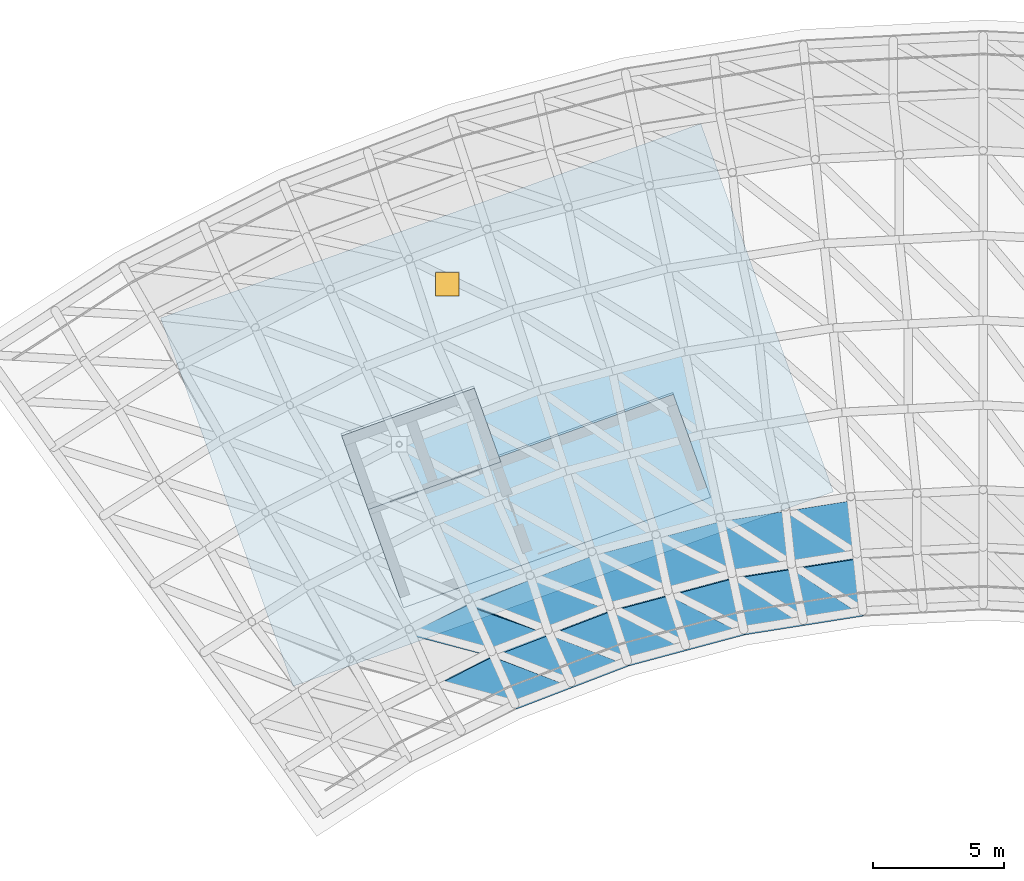
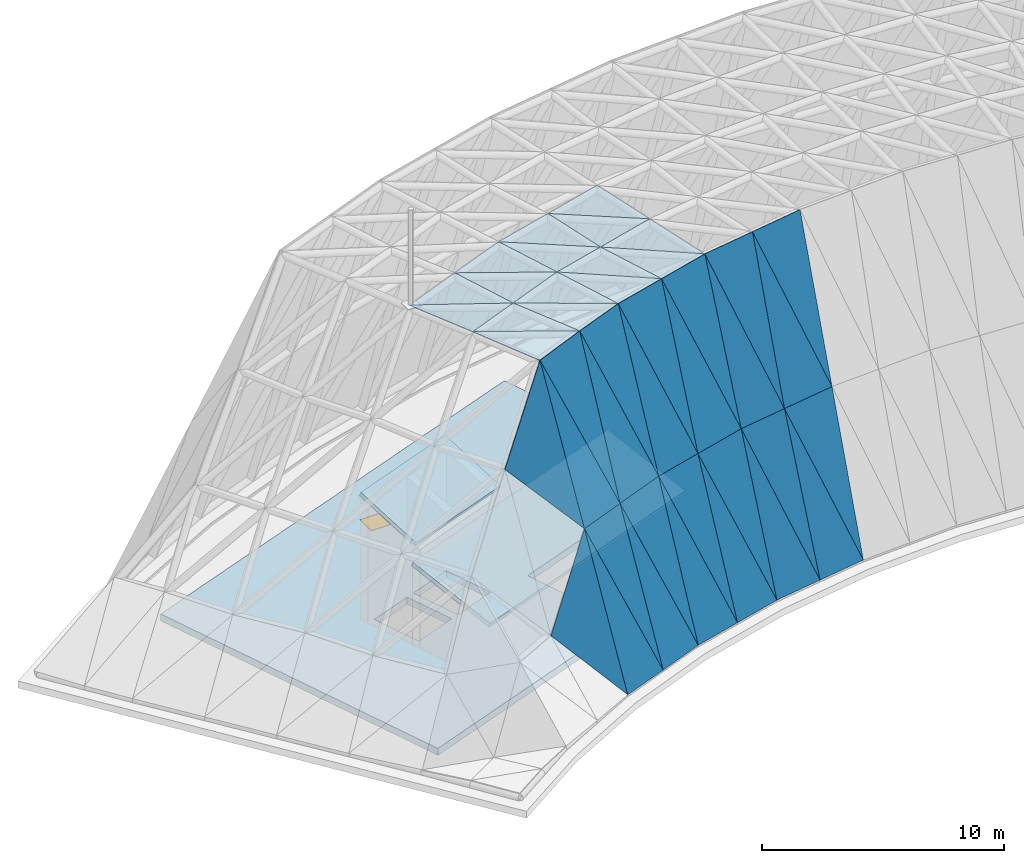
# One storey, part 12 of 20: 42 plates, 3 slabs, 1 door, 1 opening, 18 elements without a shape of their own.
"""IFC4 building model written with IfcOpenShell, lengths in metres."""

from ifc_helpers import new_model, si_unit, direction, frame, origin, origin_2d, place, context, subcontext, project, spatial, polyline, rectangle, outline, extrude, material, layer, layer_set, type_object, element, fill, aggregate, save


model = new_model("IFC4")

# Units and contexts
model_context = context("Model", 3, precision=1e-05, world=origin(), true_north=direction((0.0, 1.0)))
body_context = subcontext(model_context, "Body", "Model", "MODEL_VIEW")
ifc_project = project(units=[si_unit("LENGTHUNIT", "METRE"), si_unit("AREAUNIT", "SQUARE_METRE"), si_unit("VOLUMEUNIT", "CUBIC_METRE"), si_unit("PLANEANGLEUNIT", "RADIAN"), si_unit("MASSUNIT", "GRAM", prefix="KILO")], contexts=[model_context])

# Site, building, storey
site_placement = place(None, origin())
site = spatial("IfcSite", under=ifc_project, at=site_placement, CompositionType="ELEMENT")
building_placement = place(site_placement, origin())
building = spatial("IfcBuilding", under=site, at=building_placement, Name="Stone Belt Terrace Tower", CompositionType="ELEMENT")
storey_placement = place(building_placement, frame((0.0, 0.0, 337.39990234375)))
storey = spatial("IfcBuildingStorey", under=building, at=storey_placement, Name="RF", CompositionType="ELEMENT", Elevation=337.39990234375)

# Slab, opening, door
ifc_material_1 = material(Name="Concrete B40", Category="concrete")
ifc_layer_1 = layer(ifc_material_1, 0.35009765625)
ifc_layer_set_1 = layer_set([ifc_layer_1], Name="Core roof slab 350")
slab_type_1 = type_object("IfcSlabType", Name="Core roof slab 350", PredefinedType="ROOF", material=ifc_layer_set_1)
slab_1_placement = place(storey_placement, frame((0.0, 0.0, -0.349853515625)))
slab_1 = element("IfcSlab", 1, at=slab_1_placement, inside=storey, type_object=slab_type_1, Name="Core A roof", PredefinedType="ROOF", context=body_context, shape_type="SweptSolid", body=[
    extrude(outline(polyline([(-26.43505859375, 40.968994140625), (-5.735107421875, 48.4189453125), (-10.81396484375, 62.531982421875), (-31.513916015625, 55.0830078125), (-26.43505859375, 40.968994140625)]), holes=[polyline([(-12.10595703125, 51.652099609375), (-10.955078125, 48.452880859375), (-15.846923828125, 46.69189453125), (-16.998046875, 49.89208984375), (-12.10595703125, 51.652099609375)]), polyline([(-24.06298828125, 50.324951171875), (-22.0869140625, 51.035888671875), (-21.27392578125, 48.778076171875), (-23.25, 48.06689453125), (-24.06298828125, 50.324951171875)]), polyline([(-21.7109375, 51.1708984375), (-19.735107421875, 51.883056640625), (-18.922119140625, 49.6240234375), (-20.89794921875, 48.9130859375), (-21.7109375, 51.1708984375)]), polyline([(-20.06103515625, 56.842041015625), (-20.06103515625, 55.922119140625), (-20.98095703125, 55.922119140625), (-20.98095703125, 56.842041015625), (-20.06103515625, 56.842041015625)])]), origin(), (0.0, 0.0, 1.0), 0.349853515625),
])
opening_placement = place(slab_1_placement, frame((-20.521240234375, 56.381591796875, 0.0)))
opening = element("IfcOpeningElement", 2, at=opening_placement, cuts=slab_1, Name="Opening RF-E01", PredefinedType="OPENING", context=body_context, shape_type="SweptSolid", body=[
    extrude(rectangle(XDim=0.89990234375, YDim=0.89990234375, at=origin_2d()), frame((0.0, 0.0, -0.010009765625)), (0.0, 0.0, 1.0), 0.369873046875),
])
ifc_material_2 = material(Name="Galvanised steel hatch", Category="steel")
door_type = type_object("IfcDoorType", Name="Roof access hatch 900 x 900", OperationType="NOTDEFINED", PredefinedType="TRAPDOOR", material=ifc_material_2)
door_placement = place(opening_placement, frame((0.0, 0.0, 0.2998046875)))
door = element("IfcDoor", 3, at=door_placement, inside=storey, type_object=door_type, Name="Roof access hatch to the crown", OperationType="SINGLE_SWING_LEFT", OverallHeight=0.89990234375, OverallWidth=0.89990234375, PredefinedType="TRAPDOOR", context=body_context, shape_type="SweptSolid", body=[
    extrude(rectangle(XDim=0.89990234375, YDim=0.89990234375, at=origin_2d()), origin(), (0.0, 0.0, 1.0), 0.050048828125),
])
fill(opening, door)

# Curtain wall, plate
ifc_material_3 = material(Name="Structural steel C345", Category="steel")
ifc_layer_2 = layer(ifc_material_3, 0.324951171875)
ifc_layer_set_2 = layer_set([ifc_layer_2], Name="CW-F glass point curtain wall")
curtain_wall_type = type_object("IfcCurtainWallType", Name="CW-F glass point curtain wall", PredefinedType="NOTDEFINED", material=ifc_layer_set_2)
curtain_wall_1_placement = place(storey_placement, origin())
curtain_wall_1 = element("IfcCurtainWall", 4, at=curtain_wall_1_placement, inside=storey, type_object=curtain_wall_type, Name="CW-F glass point panels 23", PredefinedType="NOTDEFINED")
ifc_material_4 = material(Name="Clear double glazed unit")
ifc_layer_3 = layer(ifc_material_4, 0.044921875)
ifc_layer_set_3 = layer_set([ifc_layer_3], Name="Glass point facet panel 45")
plate_type = type_object("IfcPlateType", Name="Glass point facet panel 45", PredefinedType="CURTAIN_PANEL", material=ifc_layer_set_3)
plate_1_placement = place(storey_placement, frame((-19.77880859375, 44.061279296875, 15.37158203125), z_axis=(0.02033567276, -0.967830391714, 0.250780368624), x_axis=(0.124038653736, -0.246452079129, -0.961184573884)))
plate_1 = element("IfcPlate", 5, at=plate_1_placement, type_object=plate_type, Name="GLASS POINT FACET 58", PredefinedType="CURTAIN_PANEL", context=body_context, shape_type="SweptSolid", body=[
    extrude(outline(polyline([(0.0, 0.0), (7.961621626638771, -1.1102230246251565e-16), (3.86800474401383, -2.806975907204551), (0.0, 0.0)])), origin(), (0.0, 0.0, -1.0), 0.044921875),
])

curtain_wall_2_placement = place(storey_placement, origin())
curtain_wall_2 = element("IfcCurtainWall", 6, at=curtain_wall_2_placement, inside=storey, type_object=curtain_wall_type, Name="CW-F glass point panels 9", PredefinedType="NOTDEFINED")
plate_2_placement = place(storey_placement, frame((-17.880859375, 40.095947265625, 0.239501953125), z_axis=(0.03400061706, -0.964357611284, 0.262408756711), x_axis=(-0.653283663933, 0.177257264861, 0.736070863771)))
plate_2 = element("IfcPlate", 7, at=plate_2_placement, type_object=plate_type, Name="GLASS POINT FACET 59", PredefinedType="CURTAIN_PANEL", context=body_context, shape_type="SweptSolid", body=[
    extrude(outline(polyline([(0.0, 0.0), (4.848179287170684, 0.0), (6.457868362541423, -4.373549103291781), (0.0, 0.0)])), origin(), (0.0, 0.0, -1.0), 0.044921875),
])

curtain_wall_3_placement = place(storey_placement, origin())
curtain_wall_3 = element("IfcCurtainWall", 8, at=curtain_wall_3_placement, inside=storey, type_object=curtain_wall_type, Name="CW-F glass point panels 30", PredefinedType="NOTDEFINED")
plate_3_placement = place(storey_placement, frame((-22.46533203125, 50.199462890625, 15.372314453125), z_axis=(0.000701392978, 0.000227909805, 0.999999728052), x_axis=(0.932478076139, 0.361225823125, -0.000736360681)))
plate_3 = element("IfcPlate", 9, at=plate_3_placement, type_object=plate_type, Name="GLASS POINT FACET 81", PredefinedType="CURTAIN_PANEL", context=body_context, shape_type="SweptSolid", body=[
    extrude(outline(polyline([(0.0, 0.0), (2.983952946802638, 2.0844346601872399e-16), (2.8038826977463867, -3.246706273177929), (0.0, 0.0)])), origin(), (0.0, 0.0, -1.0), 0.044921875),
])

curtain_wall_4_placement = place(storey_placement, origin())
curtain_wall_4 = element("IfcCurtainWall", 10, at=curtain_wall_4_placement, inside=storey, type_object=curtain_wall_type, Name="CW-F glass point panels 2", PredefinedType="NOTDEFINED")
plate_4_placement = place(storey_placement, frame((-16.99560546875, 52.308837890625, 15.3701171875), z_axis=(0.0, 0.0, 1.0), x_axis=(0.309033443004, -0.951051171654, 0.0)))
plate_4 = element("IfcPlate", 11, at=plate_4_placement, type_object=plate_type, Name="GLASS POINT FACET 82", PredefinedType="CURTAIN_PANEL", context=body_context, shape_type="SweptSolid", body=[
    extrude(outline(polyline([(0.0, 0.0), (3.25169600653076, 0.0), (0.15056347528856695, -2.8760280559099236), (0.0, 0.0)])), origin(), (0.0, 0.0, -1.0), 0.044921875),
])

# Plate
plate_5_placement = place(storey_placement, frame((-14.94091796875, 45.976318359375, 15.37060546875), z_axis=(-5.1428109e-05, 0.000133958791, 0.999999989705), x_axis=(-0.860935475163, 0.508714158411, -0.000112423018)))
plate_5 = element("IfcPlate", 12, at=plate_5_placement, type_object=plate_type, Name="GLASS POINT FACET 83", PredefinedType="CURTAIN_PANEL", context=body_context, shape_type="SweptSolid", body=[
    extrude(outline(polyline([(0.0, 0.0), (4.343249779310107, 5.773586738535349e-16), (2.5535430102173398, -2.256470778983651), (0.0, 0.0)])), origin(), (0.0, 0.0, -1.0), 0.044921875),
])

plate_6_placement = place(storey_placement, frame((-19.68408203125, 51.277587890625, 15.3701171875), z_axis=(0.0, 0.0, 1.0), x_axis=(0.873298229369, -0.48718600409, 0.0)))
plate_6 = element("IfcPlate", 13, at=plate_6_placement, type_object=plate_type, Name="GLASS POINT FACET 84", PredefinedType="CURTAIN_PANEL", context=body_context, shape_type="SweptSolid", body=[
    extrude(outline(polyline([(0.0, 0.0), (4.229487008457364, 0.0), (2.3843183134502413, -2.2113487248078427), (0.0, 0.0)])), origin(), (0.0, 0.0, -1.0), 0.044921875),
])

# Curtain wall, plate
curtain_wall_5_placement = place(storey_placement, origin())
curtain_wall_5 = element("IfcCurtainWall", 14, at=curtain_wall_5_placement, inside=storey, type_object=curtain_wall_type, Name="CW-F glass point panels 36", PredefinedType="NOTDEFINED")
plate_7_placement = place(storey_placement, frame((-22.465087890625, 50.2001953125, 15.372314453125), z_axis=(0.000244040917, -0.000631793431, 0.999999770641), x_axis=(0.882839137501, -0.46967520156, -0.000512186697)))
plate_7 = element("IfcPlate", 15, at=plate_7_placement, type_object=plate_type, Name="GLASS POINT FACET 85", PredefinedType="CURTAIN_PANEL", context=body_context, shape_type="SweptSolid", body=[
    extrude(outline(polyline([(0.0, 0.0), (4.289970114310411, -5.020491333318326e-17), (2.5591978545844607, -2.0003938316053067), (0.0, 0.0)])), origin(), (0.0, 0.0, -1.0), 0.044921875),
])

curtain_wall_6_placement = place(storey_placement, origin())
curtain_wall_6 = element("IfcCurtainWall", 16, at=curtain_wall_6_placement, inside=storey, type_object=curtain_wall_type, Name="CW-F glass point panels 16", PredefinedType="NOTDEFINED")
plate_8_placement = place(storey_placement, frame((-14.940673828125, 45.97705078125, 15.37060546875), z_axis=(-0.000176797134, -7.820406e-05, 0.999999981313), x_axis=(-0.933546982519, -0.358455009937, -0.000193081072)))
plate_8 = element("IfcPlate", 17, at=plate_8_placement, type_object=plate_type, Name="GLASS POINT FACET 86", PredefinedType="CURTAIN_PANEL", context=body_context, shape_type="SweptSolid", body=[
    extrude(outline(polyline([(0.0, 0.0), (2.528892372807424, -7.189827414531315e-18), (2.6986888856159004, -3.403230207876862), (0.0, 0.0)])), origin(), (0.0, 0.0, -1.0), 0.044921875),
])
aggregate(curtain_wall_6, [plate_8])

# Plate
plate_9_placement = place(storey_placement, frame((-19.779296875, 44.06005859375, 15.3701171875), z_axis=(0.0, 0.0, 1.0), x_axis=(-0.395479043958, 0.91847500009, 0.0)))
plate_9 = element("IfcPlate", 18, at=plate_9_placement, type_object=plate_type, Name="GLASS POINT FACET 87", PredefinedType="CURTAIN_PANEL", context=body_context, shape_type="SweptSolid", body=[
    extrude(outline(polyline([(0.0, 0.0), (3.455806924864536, 0.0), (-0.05170074243779876, -2.6770478090787297), (0.0, 0.0)])), origin(), (0.0, 0.0, -1.0), 0.044921875),
])

# Curtain wall, plate
curtain_wall_7_placement = place(storey_placement, origin())
curtain_wall_7 = element("IfcCurtainWall", 19, at=curtain_wall_7_placement, inside=storey, type_object=curtain_wall_type, Name="CW-F glass point panels 41", PredefinedType="NOTDEFINED")
plate_10_placement = place(storey_placement, frame((-18.6787109375, 48.1865234375, 15.3701171875), z_axis=(0.0, 0.0, 1.0), x_axis=(0.404555571001, -0.914513417054, 0.0)))
plate_10 = element("IfcPlate", 20, at=plate_10_placement, type_object=plate_type, Name="GLASS POINT FACET 88", PredefinedType="CURTAIN_PANEL", context=body_context, shape_type="SweptSolid", body=[
    extrude(outline(polyline([(0.0, 0.0), (3.407240111263121, 0.0), (-0.1266071230295973, -2.642180677576687), (0.0, 0.0)])), origin(), (0.0, 0.0, -1.0), 0.044921875),
])
aggregate(curtain_wall_7, [plate_10])

# Plate
plate_11_placement = place(storey_placement, frame((-19.77978515625, 44.060791015625, 15.371337890625), z_axis=(0.3625428257, -0.888676318042, 0.280743835703), x_axis=(0.92591404855, 0.37773426466, 0.0)))
plate_11 = element("IfcPlate", 21, at=plate_11_placement, type_object=plate_type, Name="GLASS POINT FACET 89", PredefinedType="CURTAIN_PANEL", context=body_context, shape_type="SweptSolid", body=[
    extrude(outline(polyline([(0.0, 0.0), (2.677094887487115, 5.551115123125783e-17), (2.5151153101408683, -7.973250205770874), (0.0, 0.0)])), origin(), (0.0, 0.0, -1.0), 0.044921875),
])

plate_12_placement = place(storey_placement, frame((-14.941650390625, 45.977783203125, 15.371826171875), z_axis=(0.343904804715, -0.895953040717, 0.281065177716), x_axis=(0.087305004754, -0.267516983361, -0.959589755968)))
plate_12 = element("IfcPlate", 22, at=plate_12_placement, type_object=plate_type, Name="GLASS POINT FACET 90", PredefinedType="CURTAIN_PANEL", context=body_context, shape_type="SweptSolid", body=[
    extrude(outline(polyline([(0.0, 0.0), (7.975362517449388, 9.71445146547012e-17), (0.0368139967726797, -2.5283089415995854), (0.0, 0.0)])), origin(), (0.0, 0.0, -1.0), 0.044921875),
])

plate_13_placement = place(storey_placement, frame((-13.562255859375, 41.753173828125, 0.21875), z_axis=(0.343998776616, -0.895897702633, 0.281126569545), x_axis=(-0.372005119937, 0.144864223128, 0.916856885014)))
plate_13 = element("IfcPlate", 23, at=plate_13_placement, type_object=plate_type, Name="GLASS POINT FACET 91", PredefinedType="CURTAIN_PANEL", context=body_context, shape_type="SweptSolid", body=[
    extrude(outline(polyline([(0.0, 0.0), (8.183848637000576, 0.0), (7.436922697227505, -2.416070784418184), (0.0, 0.0)])), origin(), (0.0, 0.0, -1.0), 0.044921875),
])

plate_14_placement = place(storey_placement, frame((-17.302001953125, 45.072021484375, 15.37255859375), z_axis=(0.34394745077, -0.895932366091, 0.281078897286), x_axis=(0.366909517214, -0.14730885257, -0.918519193121)))
plate_14 = element("IfcPlate", 24, at=plate_14_placement, type_object=plate_type, Name="GLASS POINT FACET 92", PredefinedType="CURTAIN_PANEL", context=body_context, shape_type="SweptSolid", body=[
    extrude(outline(polyline([(0.0, 0.0), (8.331440374827798, 0.0), (7.59889504958633, -2.4207078746373134), (0.0, 0.0)])), origin(), (0.0, 0.0, -1.0), 0.044921875),
])

# Curtain wall, plate
curtain_wall_8_placement = place(storey_placement, origin())
curtain_wall_8 = element("IfcCurtainWall", 25, at=curtain_wall_8_placement, inside=storey, type_object=curtain_wall_type, Name="CW-F glass point panels 47", PredefinedType="NOTDEFINED")
plate_15_placement = place(storey_placement, frame((-19.77978515625, 44.061279296875, 15.37255859375), z_axis=(0.344566165898, -0.897694958004, 0.274623232254), x_axis=(0.379718513794, -0.134262205969, -0.915307331081)))
plate_15 = element("IfcPlate", 26, at=plate_15_placement, type_object=plate_type, Name="GLASS POINT FACET 93", PredefinedType="CURTAIN_PANEL", context=body_context, shape_type="SweptSolid", body=[
    extrude(outline(polyline([(0.0, 0.0), (8.360942572383806, 0.0), (7.643667155983982, -2.230126448760141), (0.0, 0.0)])), origin(), (0.0, 0.0, -1.0), 0.044921875),
])

# Plate
plate_16_placement = place(storey_placement, frame((-13.56201171875, 41.753662109375, 0.2197265625), z_axis=(0.343785852618, -0.896000783437, 0.28105850569), x_axis=(-0.933635017414, -0.358225702956, 0.0)))
plate_16 = element("IfcPlate", 27, at=plate_16_placement, type_object=plate_type, Name="GLASS POINT FACET 94", PredefinedType="CURTAIN_PANEL", context=body_context, shape_type="SweptSolid", body=[
    extrude(outline(polyline([(0.0, 0.0), (2.302199491674417, -2.7755575615628914e-17), (2.417924386869136, -7.8188343511085305), (0.0, 0.0)])), origin(), (0.0, 0.0, -1.0), 0.044921875),
])

aggregate(curtain_wall_2, [plate_2, plate_5, plate_16])

plate_17_placement = place(storey_placement, frame((-17.881591796875, 40.095703125, 0.23974609375), z_axis=(0.346131725571, -0.894856433466, 0.281824044464), x_axis=(-0.116775883258, 0.256963281036, 0.959340015473)))
plate_17 = element("IfcPlate", 28, at=plate_17_placement, type_object=plate_type, Name="GLASS POINT FACET 95", PredefinedType="CURTAIN_PANEL", context=body_context, shape_type="SweptSolid", body=[
    extrude(outline(polyline([(0.0, 0.0), (7.800314983402522, 0.0), (-0.05856473867730923, -2.324983179693761), (0.0, 0.0)])), origin(), (0.0, 0.0, -1.0), 0.044921875),
])

aggregate(curtain_wall_4, [plate_4, plate_9, plate_13, plate_17])

# Curtain wall, plate
curtain_wall_9_placement = place(storey_placement, origin())
curtain_wall_9 = element("IfcCurtainWall", 29, at=curtain_wall_9_placement, inside=storey, type_object=curtain_wall_type, Name="CW-F glass point panels 42", PredefinedType="NOTDEFINED")
plate_18_placement = place(storey_placement, frame((-16.605712890625, 42.939208984375, 7.72216796875), z_axis=(0.343895914659, -0.895952822628, 0.281076750203), x_axis=(0.11445664269, -0.257105960871, -0.959581263796)))
plate_18 = element("IfcPlate", 30, at=plate_18_placement, type_object=plate_type, Name="GLASS POINT FACET 96", PredefinedType="CURTAIN_PANEL", context=body_context, shape_type="SweptSolid", body=[
    extrude(outline(polyline([(0.0, 0.0), (7.819725532873723, 9.71445146547012e-17), (-0.03398340899778732, -2.3423904730731704), (0.0, 0.0)])), origin(), (0.0, 0.0, -1.0), 0.044921875),
])

# Plate
plate_19_placement = place(storey_placement, frame((-16.9970703125, 52.308349609375, 15.3701171875), z_axis=(0.0, 0.0, 1.0), x_axis=(0.965910588907, 0.258875905092, 0.0)))
plate_19 = element("IfcPlate", 31, at=plate_19_placement, type_object=plate_type, Name="GLASS POINT FACET 113", PredefinedType="CURTAIN_PANEL", context=body_context, shape_type="SweptSolid", body=[
    extrude(outline(polyline([(0.0, 0.0), (2.880165570006592, 0.0), (2.7096851630830825, -3.2474796006030267), (0.0, 0.0)])), origin(), (0.0, 0.0, -1.0), 0.044921875),
])

# Curtain wall, plate
curtain_wall_10_placement = place(storey_placement, origin())
curtain_wall_10 = element("IfcCurtainWall", 32, at=curtain_wall_10_placement, inside=storey, type_object=curtain_wall_type, Name="CW-F glass point panels 3", PredefinedType="NOTDEFINED")
plate_20_placement = place(storey_placement, frame((-11.434814453125, 53.798828125, 15.3701171875), z_axis=(0.0, 0.0, 1.0), x_axis=(0.207970099701, -0.97813518372, 0.0)))
plate_20 = element("IfcPlate", 33, at=plate_20_placement, type_object=plate_type, Name="GLASS POINT FACET 114", PredefinedType="CURTAIN_PANEL", context=body_context, shape_type="SweptSolid", body=[
    extrude(outline(polyline([(0.0, 0.0), (3.2517632689628715, 0.0), (0.1504949779795608, -2.8761677570490716), (0.0, 0.0)])), origin(), (0.0, 0.0, -1.0), 0.044921875),
])

curtain_wall_11_placement = place(storey_placement, origin())
curtain_wall_11 = element("IfcCurtainWall", 34, at=curtain_wall_11_placement, inside=storey, type_object=curtain_wall_type, Name="CW-F glass point panels 10", PredefinedType="NOTDEFINED")
plate_21_placement = place(storey_placement, frame((-10.05322265625, 47.286376953125, 15.37060546875), z_axis=(-3.7138057e-05, 0.000138613875, 0.999999989703), x_axis=(-0.803052032136, 0.595908903309, -0.000112425036)))
plate_21 = element("IfcPlate", 35, at=plate_21_placement, type_object=plate_type, Name="GLASS POINT FACET 115", PredefinedType="CURTAIN_PANEL", context=body_context, shape_type="SweptSolid", body=[
    extrude(outline(polyline([(0.0, 0.0), (4.343171835918686, 2.7626265448318704e-16), (2.553262650277492, -2.256372046503641), (0.0, 0.0)])), origin(), (0.0, 0.0, -1.0), 0.044921875),
])

curtain_wall_12_placement = place(storey_placement, origin())
curtain_wall_12 = element("IfcCurtainWall", 36, at=curtain_wall_12_placement, inside=storey, type_object=curtain_wall_type, Name="CW-F glass point panels 17", PredefinedType="NOTDEFINED")
plate_22_placement = place(storey_placement, frame((-14.21630859375, 53.05419921875, 15.3701171875), z_axis=(0.0, 0.0, 1.0), x_axis=(0.817596070999, -0.575792206171, 0.0)))
plate_22 = element("IfcPlate", 37, at=plate_22_placement, type_object=plate_type, Name="GLASS POINT FACET 116", PredefinedType="CURTAIN_PANEL", context=body_context, shape_type="SweptSolid", body=[
    extrude(outline(polyline([(0.0, 0.0), (4.229481935103328, -2.220446049250313e-16), (2.3842578551761653, -2.2114478979863748), (0.0, 0.0)])), origin(), (0.0, 0.0, -1.0), 0.044921875),
])

# Plate
plate_23_placement = place(storey_placement, frame((-16.996826171875, 52.309326171875, 15.3701171875), z_axis=(0.0, 0.0, 1.0), x_axis=(0.817588034789, -0.575803617017, 0.0)))
plate_23 = element("IfcPlate", 38, at=plate_23_placement, type_object=plate_type, Name="GLASS POINT FACET 117", PredefinedType="CURTAIN_PANEL", context=body_context, shape_type="SweptSolid", body=[
    extrude(outline(polyline([(0.0, 0.0), (4.2298221182001425, 0.0), (2.602550872847698, -1.9501990051499452), (0.0, 0.0)])), origin(), (0.0, 0.0, -1.0), 0.044921875),
])

plate_24_placement = place(storey_placement, frame((-10.052734375, 47.286865234375, 15.37060546875), z_axis=(-0.000183991555, -5.9298942e-05, 0.999999981315), x_axis=(-0.965928212433, -0.258810067713, -0.000193069801)))
plate_24 = element("IfcPlate", 39, at=plate_24_placement, type_object=plate_type, Name="GLASS POINT FACET 118", PredefinedType="CURTAIN_PANEL", context=body_context, shape_type="SweptSolid", body=[
    extrude(outline(polyline([(0.0, 0.0), (2.5290400076379393, -1.4119711667206616e-16), (2.699295024239167, -3.4029273940584326), (0.0, 0.0)])), origin(), (0.0, 0.0, -1.0), 0.044921875),
])

aggregate(curtain_wall_1, [plate_1, plate_6, plate_12, plate_24])

plate_25_placement = place(storey_placement, frame((-14.942138671875, 45.9765625, 15.37060546875), z_axis=(0.000146387665, 0.000198053899, 0.999999969673), x_axis=(-0.308220843873, 0.951314822164, -0.000143291885)))
plate_25 = element("IfcPlate", 40, at=plate_25_placement, type_object=plate_type, Name="GLASS POINT FACET 119", PredefinedType="CURTAIN_PANEL", context=body_context, shape_type="SweptSolid", body=[
    extrude(outline(polyline([(0.0, 0.0), (3.4075987709043196, 2.0560128666888158e-16), (-0.13045585639140042, -2.531011582942661), (0.0, 0.0)])), origin(), (0.0, 0.0, -1.0), 0.044921875),
])

aggregate(curtain_wall_5, [plate_7, plate_14, plate_25])

plate_26_placement = place(storey_placement, frame((-13.53955078125, 49.875, 15.3701171875), z_axis=(0.0, 0.0, 1.0), x_axis=(0.306732713392, -0.951795693694, 0.0)))
plate_26 = element("IfcPlate", 41, at=plate_26_placement, type_object=plate_type, Name="GLASS POINT FACET 120", PredefinedType="CURTAIN_PANEL", context=body_context, shape_type="SweptSolid", body=[
    extrude(outline(polyline([(0.0, 0.0), (3.4074161965496583, 1.1102230246251565e-16), (-0.1267507894926626, -2.536773955834796), (0.0, 0.0)])), origin(), (0.0, 0.0, -1.0), 0.044921875),
])

plate_27_placement = place(storey_placement, frame((-14.942626953125, 45.9775390625, 15.371826171875), z_axis=(0.248484262879, -0.926959835196, 0.281071227689), x_axis=(0.965912767486, 0.258867704592, -0.000192681581)))
plate_27 = element("IfcPlate", 42, at=plate_27_placement, type_object=plate_type, Name="GLASS POINT FACET 121", PredefinedType="CURTAIN_PANEL", context=body_context, shape_type="SweptSolid", body=[
    extrude(outline(polyline([(0.0, 0.0), (2.534135574809494, -4.358492733391728e-17), (2.420212636856613, -7.974323769226186), (0.0, 0.0)])), origin(), (0.0, 0.0, -1.0), 0.044921875),
])

aggregate(curtain_wall_3, [plate_3, plate_11, plate_23, plate_27])

plate_28_placement = place(storey_placement, frame((-10.0537109375, 47.287841796875, 15.371826171875), z_axis=(0.248369934505, -0.926988057885, 0.28107919911), x_axis=(0.058835701412, -0.275199248538, -0.959585188424)))
plate_28 = element("IfcPlate", 43, at=plate_28_placement, type_object=plate_type, Name="GLASS POINT FACET 122", PredefinedType="CURTAIN_PANEL", context=body_context, shape_type="SweptSolid", body=[
    extrude(outline(polyline([(0.0, 0.0), (7.975400479494614, -1.249000902703301e-16), (0.036898437203635864, -2.528299129391403), (0.0, 0.0)])), origin(), (0.0, 0.0, -1.0), 0.044921875),
])

plate_29_placement = place(storey_placement, frame((-9.12353515625, 42.942138671875, 0.21875), z_axis=(0.248373870649, -0.926978347523, 0.28110774376), x_axis=(-0.354848072293, 0.182957816509, 0.916847469849)))
plate_29 = element("IfcPlate", 44, at=plate_29_placement, type_object=plate_type, Name="GLASS POINT FACET 123", PredefinedType="CURTAIN_PANEL", context=body_context, shape_type="SweptSolid", body=[
    extrude(outline(polyline([(0.0, 0.0), (8.183932677467986, 4.440892098500626e-16), (7.4368379740248045, -2.4161731365740065), (0.0, 0.0)])), origin(), (0.0, 0.0, -1.0), 0.044921875),
])

plate_30_placement = place(storey_placement, frame((-12.495849609375, 46.633544921875, 15.37255859375), z_axis=(0.248374982397, -0.926994685475, 0.281052879759), x_axis=(0.34947779176, -0.184848726347, -0.918529379734)))
plate_30 = element("IfcPlate", 45, at=plate_30_placement, type_object=plate_type, Name="GLASS POINT FACET 124", PredefinedType="CURTAIN_PANEL", context=body_context, shape_type="SweptSolid", body=[
    extrude(outline(polyline([(0.0, 0.0), (8.331347978048704, 0.0), (7.598919427795204, -2.4204129506442342), (0.0, 0.0)])), origin(), (0.0, 0.0, -1.0), 0.044921875),
])

plate_31_placement = place(storey_placement, frame((-14.9423828125, 45.97802734375, 15.373291015625), z_axis=(0.248388331683, -0.926997077002, 0.281033193615), x_axis=(0.349963936187, -0.184649480143, -0.918384349198)))
plate_31 = element("IfcPlate", 46, at=plate_31_placement, type_object=plate_type, Name="GLASS POINT FACET 125", PredefinedType="CURTAIN_PANEL", context=body_context, shape_type="SweptSolid", body=[
    extrude(outline(polyline([(0.0, 0.0), (8.33372700635554, 0.0), (7.66650747107462, -2.1998287048332257), (0.0, 0.0)])), origin(), (0.0, 0.0, -1.0), 0.044921875),
])

aggregate(curtain_wall_8, [plate_15, plate_19, plate_31])

# Curtain wall, plate
curtain_wall_13_placement = place(storey_placement, origin())
curtain_wall_13 = element("IfcCurtainWall", 47, at=curtain_wall_13_placement, inside=storey, type_object=curtain_wall_type, Name="CW-F glass point panels 24", PredefinedType="NOTDEFINED")
plate_32_placement = place(storey_placement, frame((-9.123291015625, 42.942626953125, 0.2197265625), z_axis=(0.248313438969, -0.927002916218, 0.28108011198), x_axis=(-0.965945685136, -0.258744919501, 0.0)))
plate_32 = element("IfcPlate", 48, at=plate_32_placement, type_object=plate_type, Name="GLASS POINT FACET 126", PredefinedType="CURTAIN_PANEL", context=body_context, shape_type="SweptSolid", body=[
    extrude(outline(polyline([(0.0, 0.0), (2.3022795042686064, 0.0), (2.417734700535541, -7.818885906896477), (0.0, 0.0)])), origin(), (0.0, 0.0, -1.0), 0.044921875),
])

# Plate
plate_33_placement = place(storey_placement, frame((-13.563232421875, 41.753173828125, 0.2197265625), z_axis=(0.248362761725, -0.926996399187, 0.281058026897), x_axis=(-0.087384995351, 0.267524839287, 0.959580284787)))
plate_33 = element("IfcPlate", 49, at=plate_33_placement, type_object=plate_type, Name="GLASS POINT FACET 127", PredefinedType="CURTAIN_PANEL", context=body_context, shape_type="SweptSolid", body=[
    extrude(outline(polyline([(0.0, 0.0), (7.819987935315458, 2.7755575615628914e-17), (-0.03482793183571406, -2.2949699168451883), (0.0, 0.0)])), origin(), (0.0, 0.0, -1.0), 0.044921875),
])

aggregate(curtain_wall_9, [plate_18, plate_26, plate_33])

# Curtain wall, plate
curtain_wall_14_placement = place(storey_placement, origin())
curtain_wall_14 = element("IfcCurtainWall", 50, at=curtain_wall_14_placement, inside=storey, type_object=curtain_wall_type, Name="CW-F glass point panels 51", PredefinedType="NOTDEFINED")
plate_34_placement = place(storey_placement, frame((-12.0263671875, 44.439697265625, 7.72216796875), z_axis=(0.248319707494, -0.927006024359, 0.281064323015), x_axis=(0.086948321404, -0.267650972854, -0.959584777982)))
plate_34 = element("IfcPlate", 51, at=plate_34_placement, type_object=plate_type, Name="GLASS POINT FACET 128", PredefinedType="CURTAIN_PANEL", context=body_context, shape_type="SweptSolid", body=[
    extrude(outline(polyline([(0.0, 0.0), (7.819951318713711, -1.942890293094024e-16), (-0.03412031203053111, -2.2984720249214052), (0.0, 0.0)])), origin(), (0.0, 0.0, -1.0), 0.044921875),
])
aggregate(curtain_wall_14, [plate_34])

curtain_wall_15_placement = place(storey_placement, origin())
curtain_wall_15 = element("IfcCurtainWall", 52, at=curtain_wall_15_placement, inside=storey, type_object=curtain_wall_type, Name="CW-F glass point panels 37", PredefinedType="NOTDEFINED")
plate_35_placement = place(storey_placement, frame((-10.054931640625, 47.28759765625, 15.371826171875), z_axis=(0.150203994785, -0.94786282894, 0.281060166984), x_axis=(0.987684709033, 0.156457273456, -0.000192681371)))
plate_35 = element("IfcPlate", 53, at=plate_35_placement, type_object=plate_type, Name="GLASS POINT FACET 153", PredefinedType="CURTAIN_PANEL", context=body_context, shape_type="SweptSolid", body=[
    extrude(outline(polyline([(0.0, 0.0), (2.5341383384903375, -3.241764495731658e-17), (2.4203487929252376, -7.974296825633257), (0.0, 0.0)])), origin(), (0.0, 0.0, -1.0), 0.044921875),
])
aggregate(curtain_wall_15, [plate_35])

# Plate
plate_36_placement = place(storey_placement, frame((-5.0556640625, 48.07958984375, 15.371826171875), z_axis=(0.150140673115, -0.947872430107, 0.281061620502), x_axis=(0.029754740076, -0.279823126575, -0.959590367437)))
plate_36 = element("IfcPlate", 54, at=plate_36_placement, type_object=plate_type, Name="GLASS POINT FACET 154", PredefinedType="CURTAIN_PANEL", context=body_context, shape_type="SweptSolid", body=[
    extrude(outline(polyline([(0.0, 0.0), (7.97535743540186, 1.3877787807814457e-17), (0.03689489207509361, -2.5284496322794485), (0.0, 0.0)])), origin(), (0.0, 0.0, -1.0), 0.044921875),
])

aggregate(curtain_wall_10, [plate_20, plate_28, plate_36])

plate_37_placement = place(storey_placement, frame((-4.5849609375, 43.66064453125, 0.21875), z_axis=(0.150178170809, -0.947854944815, 0.281100552477), x_axis=(-0.333761279008, 0.21902711034, 0.916859058728)))
plate_37 = element("IfcPlate", 55, at=plate_37_placement, type_object=plate_type, Name="GLASS POINT FACET 155", PredefinedType="CURTAIN_PANEL", context=body_context, shape_type="SweptSolid", body=[
    extrude(outline(polyline([(0.0, 0.0), (8.183829234520282, 0.0), (7.436839805888784, -2.4161218722916833), (0.0, 0.0)])), origin(), (0.0, 0.0, -1.0), 0.044921875),
])

aggregate(curtain_wall_11, [plate_21, plate_29, plate_37])

plate_38_placement = place(storey_placement, frame((-7.552734375, 47.684326171875, 15.37255859375), z_axis=(0.150153190298, -0.947870666762, 0.281060880478), x_axis=(0.32823355832, -0.220365713648, -0.918532352964)))
plate_38 = element("IfcPlate", 56, at=plate_38_placement, type_object=plate_type, Name="GLASS POINT FACET 156", PredefinedType="CURTAIN_PANEL", context=body_context, shape_type="SweptSolid", body=[
    extrude(outline(polyline([(0.0, 0.0), (8.331321010015115, 0.0), (7.598892743169908, -2.420575758323679), (0.0, 0.0)])), origin(), (0.0, 0.0, -1.0), 0.044921875),
])

aggregate(curtain_wall_12, [plate_22, plate_30, plate_38])

# Curtain wall, plate
curtain_wall_16_placement = place(storey_placement, origin())
curtain_wall_16 = element("IfcCurtainWall", 57, at=curtain_wall_16_placement, inside=storey, type_object=curtain_wall_type, Name="CW-F glass point panels 31", PredefinedType="NOTDEFINED")
plate_39_placement = place(storey_placement, frame((-10.054443359375, 47.2880859375, 15.373291015625), z_axis=(0.150132434312, -0.947882986494, 0.281030418429), x_axis=(0.328753457814, -0.220213842665, -0.918382832741)))
plate_39 = element("IfcPlate", 58, at=plate_39_placement, type_object=plate_type, Name="GLASS POINT FACET 157", PredefinedType="CURTAIN_PANEL", context=body_context, shape_type="SweptSolid", body=[
    extrude(outline(polyline([(0.0, 0.0), (8.33374076721449, 0.0), (7.666496585713702, -2.1998447343348446), (0.0, 0.0)])), origin(), (0.0, 0.0, -1.0), 0.044921875),
])
aggregate(curtain_wall_16, [plate_39])

# Plate
plate_40_placement = place(storey_placement, frame((-4.584716796875, 43.660888671875, 0.2197265625), z_axis=(0.150009776499, -0.947890812968, 0.281069517459), x_axis=(-0.987707874823, -0.156311080899, 0.0)))
plate_40 = element("IfcPlate", 59, at=plate_40_placement, type_object=plate_type, Name="GLASS POINT FACET 158", PredefinedType="CURTAIN_PANEL", context=body_context, shape_type="SweptSolid", body=[
    extrude(outline(polyline([(0.0, 0.0), (2.302225019372659, 1.3877787807814457e-17), (2.417647323360942, -7.818860626187982), (0.0, 0.0)])), origin(), (0.0, 0.0, -1.0), 0.044921875),
])

aggregate(curtain_wall_13, [plate_32, plate_40])

# Curtain wall, plate
curtain_wall_17_placement = place(storey_placement, origin())
curtain_wall_17 = element("IfcCurtainWall", 60, at=curtain_wall_17_placement, inside=storey, type_object=curtain_wall_type, Name="CW-F glass point panels 43", PredefinedType="NOTDEFINED")
plate_41_placement = place(storey_placement, frame((-9.12451171875, 42.942138671875, 0.2197265625), z_axis=(0.150152301976, -0.947868304659, 0.281069321047), x_axis=(-0.058943315469, 0.275204092086, 0.95957719505)))
plate_41 = element("IfcPlate", 61, at=plate_41_placement, type_object=plate_type, Name="GLASS POINT FACET 159", PredefinedType="CURTAIN_PANEL", context=body_context, shape_type="SweptSolid", body=[
    extrude(outline(polyline([(0.0, 0.0), (7.82001311484625, 8.326672684688674e-17), (-0.03479550976218791, -2.2950949013690516), (0.0, 0.0)])), origin(), (0.0, 0.0, -1.0), 0.044921875),
])
aggregate(curtain_wall_17, [plate_41])

curtain_wall_18_placement = place(storey_placement, origin())
curtain_wall_18 = element("IfcCurtainWall", 62, at=curtain_wall_18_placement, inside=storey, type_object=curtain_wall_type, Name="CW-F glass point panels 48", PredefinedType="NOTDEFINED")
plate_42_placement = place(storey_placement, frame((-7.315185546875, 45.453369140625, 7.72216796875), z_axis=(0.15016041246, -0.947868820521, 0.281063248422), x_axis=(0.058506732039, -0.275268866804, -0.959585334024)))
plate_42 = element("IfcPlate", 63, at=plate_42_placement, type_object=plate_type, Name="GLASS POINT FACET 160", PredefinedType="CURTAIN_PANEL", context=body_context, shape_type="SweptSolid", body=[
    extrude(outline(polyline([(0.0, 0.0), (7.819946787359213, 1.1102230246251565e-16), (-0.03408231262145703, -2.298558267370748), (0.0, 0.0)])), origin(), (0.0, 0.0, -1.0), 0.044921875),
])
aggregate(curtain_wall_18, [plate_42])

# Slabs
ifc_layer_4 = layer(ifc_material_1, 0.25)
ifc_layer_set_4 = layer_set([ifc_layer_4], Name="Head-house roof slab 250")
slab_type_2 = type_object("IfcSlabType", Name="Head-house roof slab 250", PredefinedType="ROOF", material=ifc_layer_set_4)
slab_2_placement = place(storey_placement, frame((-22.204345703125, 43.979248046875, 3.0), z_axis=(0.093042012904, -0.258527251854, 0.961512789246), x_axis=(0.940920685754, 0.338627026564, -8.73628e-07)))
element("IfcSlab", 64, at=slab_2_placement, inside=storey, type_object=slab_type_2, Name="Roof lobby A roof", PredefinedType="ROOF", context=body_context, shape_type="SweptSolid", body=[
    extrude(outline(polyline([(0.0, 0.0), (12.500222251818442, 4.440892098500626e-16), (12.50011177062358, 4.368195697461279), (0.00011923576943107345, 4.368116206740828), (0.0, 0.0)])), origin(), (0.0, 0.0, -1.0), 0.240478515625),
])
slab_3_placement = place(storey_placement, frame((-23.558837890625, 47.742919921875, 5.25), z_axis=(0.125780835118, -0.349499431304, 0.928455345741), x_axis=(0.940920834877, 0.338626612206, 0.0)))
element("IfcSlab", 65, at=slab_3_placement, inside=storey, type_object=slab_type_2, Name="Roof lift shaft A roof", PredefinedType="ROOF", context=body_context, shape_type="SweptSolid", body=[
    extrude(outline(polyline([(0.0, 0.0), (5.4000873390834725, 2.220446049250313e-16), (5.400094491525163, 3.2311605522195315), (7.152441690012691e-06, 3.2311605522195315), (0.0, 0.0)])), origin(), (0.0, 0.0, -1.0), 0.232177734375),
])

save(model, "model.ifc")
